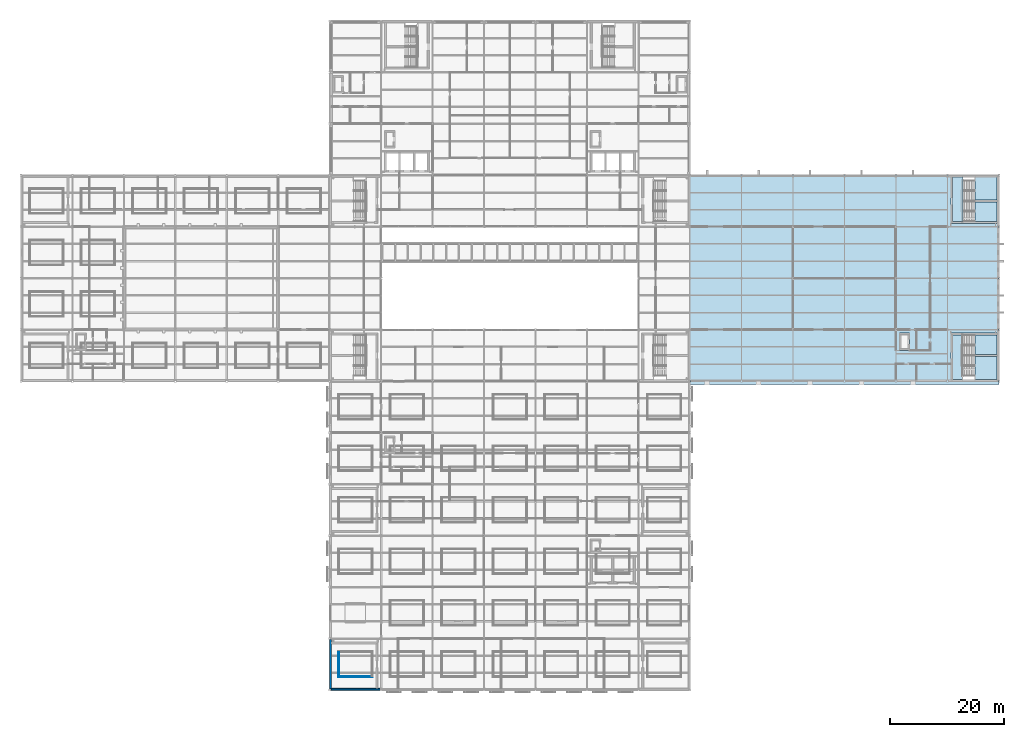
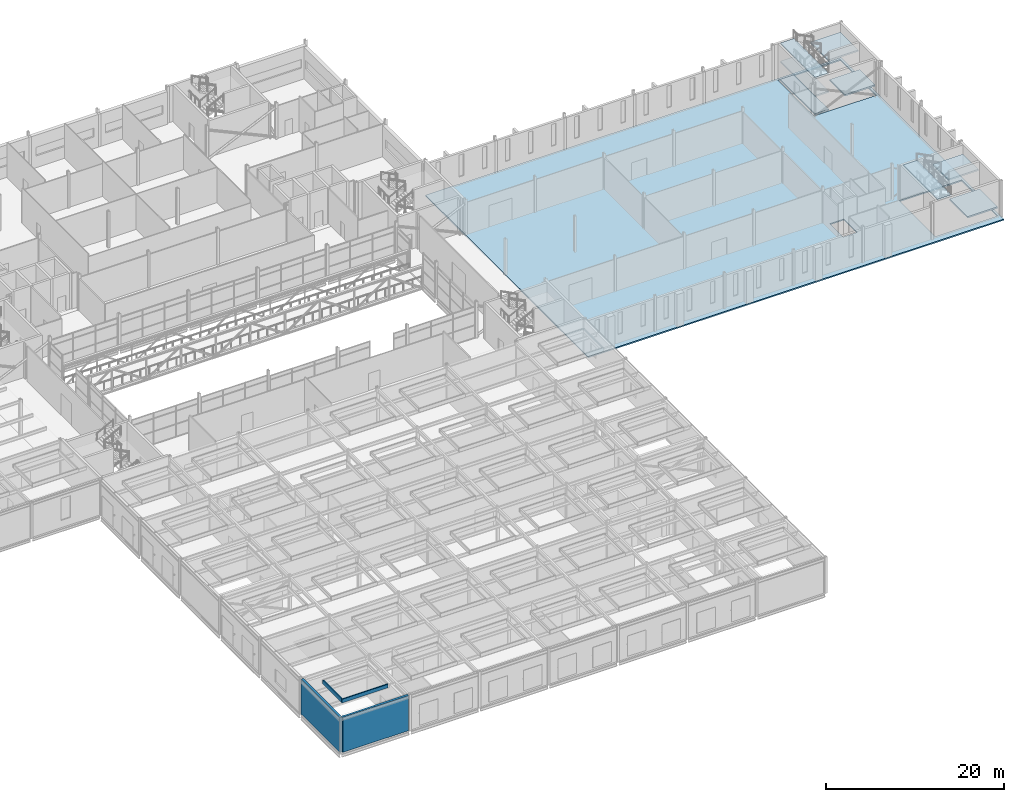
# One storey, part 74 of 115: 9 slabs, 4 walls, 2 elements without a shape of their own.
"""IFC4 building model written with IfcOpenShell, lengths in metres."""

from ifc_helpers import new_model, si_unit, direction, frame, frame_2d, origin, place, context, subcontext, project, spatial, polyline, rectangle, outline, extrude, material, layer, layer_set, type_object, element, aggregate, save


model = new_model("IFC4")

# Units and contexts
model_context = context("Model", 3, precision=1e-05, world=origin(), true_north=direction((0.0, 1.0)))
body_context = subcontext(model_context, "Body", "Model", "MODEL_VIEW")
ifc_project = project(units=[si_unit("LENGTHUNIT", "METRE"), si_unit("AREAUNIT", "SQUARE_METRE"), si_unit("VOLUMEUNIT", "CUBIC_METRE"), si_unit("PLANEANGLEUNIT", "RADIAN"), si_unit("MASSUNIT", "GRAM", prefix="KILO")], contexts=[model_context])

# Site, building, storey
site_placement = place(None, origin())
site = spatial("IfcSite", under=ifc_project, at=site_placement, CompositionType="ELEMENT")
building_placement = place(site_placement, origin())
building = spatial("IfcBuilding", under=site, at=building_placement, Name="Shorebreak Coast Museum", CompositionType="ELEMENT")
storey_placement = place(building_placement, frame((0.0, 0.0, 11.0)))
storey = spatial("IfcBuildingStorey", under=building, at=storey_placement, Name="L02", CompositionType="ELEMENT", Elevation=11.0)

# Slab
ifc_material_1 = material(Name="Concrete N40 (40 MPa)", Category="concrete")
ifc_layer_1 = layer(ifc_material_1, 0.175048828125)
ifc_layer_set_1 = layer_set([ifc_layer_1], Name="Concrete N40 (40 MPa)")
slab_type_1 = type_object("IfcSlabType", Name="Floor slab 175 concrete N40", PredefinedType="FLOOR", material=ifc_layer_set_1)
slab_1_placement = place(storey_placement, frame((0.0, 0.0, -0.175048828125)))
element("IfcSlab", 1, at=slab_1_placement, inside=storey, type_object=slab_type_1, Name="Floor slab L02 east arm", PredefinedType="FLOOR", context=body_context, shape_type="SweptSolid", body=[
    extrude(outline(polyline([(171.0, 53.39990234375), (171.0, 54.0), (171.0, 90.0), (117.0, 90.0), (117.0, 54.0), (117.0, 53.39990234375), (171.0, 53.39990234375)]), holes=[polyline([(153.60009765625, 59.39990234375), (153.60009765625, 62.39990234375), (155.39990234375, 62.39990234375), (155.39990234375, 59.39990234375), (153.60009765625, 59.39990234375)]), polyline([(162.60009765625, 62.39990234375), (170.699951171875, 62.39990234375), (170.699951171875, 54.300048828125), (162.60009765625, 54.300048828125), (162.60009765625, 62.39990234375)]), polyline([(170.699951171875, 89.699951171875), (170.699951171875, 81.60009765625), (162.60009765625, 81.60009765625), (162.60009765625, 89.699951171875), (170.699951171875, 89.699951171875)])]), origin(), (0.0, 0.0, 1.0), 0.175048828125),
])

# Stair, slabs
ifc_material_2 = material(Name="Concrete N40 (40 MPa)", Category="concrete")
stair_type = type_object("IfcStairType", Name="Stair run 5 m", PredefinedType="DOUBLE_RETURN_STAIR", material=ifc_material_2)
stair_1_placement = place(storey_placement, origin())
stair_1 = element("IfcStair", 2, at=stair_1_placement, inside=storey, type_object=stair_type, Name="Exit stair ST07-L02", PredefinedType="DOUBLE_RETURN_STAIR")
ifc_material_3 = material(Name="Concrete N40 (40 MPa)", Category="concrete")
ifc_layer_2 = layer(ifc_material_3, 0.199951171875)
ifc_layer_set_2 = layer_set([ifc_layer_2], Name="Concrete N40 (40 MPa)")
slab_type_2 = type_object("IfcSlabType", Name="Stair landing 200", PredefinedType="LANDING", material=ifc_layer_set_2)
slab_2_placement = place(storey_placement, frame((0.0, 0.0, 1.050048828125)))
slab_2 = element("IfcSlab", 3, at=slab_2_placement, type_object=slab_type_2, Name="ST07-L02 landing 3", PredefinedType="LANDING", context=body_context, shape_type="SweptSolid", body=[
    extrude(outline(polyline([(166.800048828125, 54.300048828125), (170.699951171875, 54.300048828125), (170.699951171875, 58.35009765625), (166.800048828125, 58.35009765625), (166.800048828125, 54.300048828125)])), origin(), (0.0, 0.0, 1.0), 0.199951171875),
])
slab_3_placement = place(storey_placement, frame((0.0, 0.0, 3.550048828125)))
slab_3 = element("IfcSlab", 4, at=slab_3_placement, type_object=slab_type_2, Name="ST07-L02 landing 4", PredefinedType="LANDING", context=body_context, shape_type="SweptSolid", body=[
    extrude(outline(polyline([(166.800048828125, 58.64990234375), (170.699951171875, 58.64990234375), (170.699951171875, 62.10009765625), (166.800048828125, 62.10009765625), (166.800048828125, 58.64990234375)])), origin(), (0.0, 0.0, 1.0), 0.199951171875),
])
slab_4_placement = place(storey_placement, frame((0.0, 0.0, 4.800048828125)))
slab_4 = element("IfcSlab", 5, at=slab_4_placement, type_object=slab_type_2, Name="ST07-L02 landing 5", PredefinedType="LANDING", context=body_context, shape_type="SweptSolid", body=[
    extrude(outline(polyline([(162.89990234375, 54.300048828125), (164.699951171875, 54.300048828125), (164.699951171875, 62.10009765625), (162.89990234375, 62.10009765625), (162.89990234375, 54.300048828125)])), origin(), (0.0, 0.0, 1.0), 0.199951171875),
])
aggregate(stair_1, [slab_2, slab_3, slab_4])

stair_2_placement = place(storey_placement, origin())
stair_2 = element("IfcStair", 6, at=stair_2_placement, inside=storey, type_object=stair_type, Name="Exit stair ST08-L02", PredefinedType="DOUBLE_RETURN_STAIR")
slab_5_placement = place(storey_placement, frame((0.0, 0.0, -0.199951171875)))
slab_5 = element("IfcSlab", 7, at=slab_5_placement, type_object=slab_type_2, Name="ST08-L02 landing 1", PredefinedType="LANDING", context=body_context, shape_type="SweptSolid", body=[
    extrude(outline(polyline([(162.89990234375, 81.89990234375), (164.699951171875, 81.89990234375), (164.699951171875, 89.699951171875), (162.89990234375, 89.699951171875), (162.89990234375, 81.89990234375)])), origin(), (0.0, 0.0, 1.0), 0.199951171875),
])
slab_6_placement = place(storey_placement, frame((0.0, 0.0, 2.300048828125)))
slab_6 = element("IfcSlab", 8, at=slab_6_placement, type_object=slab_type_2, Name="ST08-L02 landing 2", PredefinedType="LANDING", context=body_context, shape_type="SweptSolid", body=[
    extrude(outline(polyline([(162.89990234375, 81.89990234375), (164.699951171875, 81.89990234375), (164.699951171875, 89.699951171875), (162.89990234375, 89.699951171875), (162.89990234375, 81.89990234375)])), origin(), (0.0, 0.0, 1.0), 0.199951171875),
])
slab_7_placement = place(storey_placement, frame((0.0, 0.0, 1.050048828125)))
slab_7 = element("IfcSlab", 9, at=slab_7_placement, type_object=slab_type_2, Name="ST08-L02 landing 3", PredefinedType="LANDING", context=body_context, shape_type="SweptSolid", body=[
    extrude(outline(polyline([(166.800048828125, 81.89990234375), (170.699951171875, 81.89990234375), (170.699951171875, 85.35009765625), (166.800048828125, 85.35009765625), (166.800048828125, 81.89990234375)])), origin(), (0.0, 0.0, 1.0), 0.199951171875),
])
slab_8_placement = place(storey_placement, frame((0.0, 0.0, 3.550048828125)))
slab_8 = element("IfcSlab", 10, at=slab_8_placement, type_object=slab_type_2, Name="ST08-L02 landing 4", PredefinedType="LANDING", context=body_context, shape_type="SweptSolid", body=[
    extrude(outline(polyline([(166.800048828125, 85.64990234375), (170.699951171875, 85.64990234375), (170.699951171875, 89.699951171875), (166.800048828125, 89.699951171875), (166.800048828125, 85.64990234375)])), origin(), (0.0, 0.0, 1.0), 0.199951171875),
])
slab_9_placement = place(storey_placement, frame((0.0, 0.0, 4.800048828125)))
slab_9 = element("IfcSlab", 11, at=slab_9_placement, type_object=slab_type_2, Name="ST08-L02 landing 5", PredefinedType="LANDING", context=body_context, shape_type="SweptSolid", body=[
    extrude(outline(polyline([(162.89990234375, 81.89990234375), (164.699951171875, 81.89990234375), (164.699951171875, 89.699951171875), (162.89990234375, 89.699951171875), (162.89990234375, 81.89990234375)])), origin(), (0.0, 0.0, 1.0), 0.199951171875),
])
aggregate(stair_2, [slab_5, slab_6, slab_7, slab_8, slab_9])

# Walls
ifc_material_4 = material(Name="Concrete N50 (50 MPa)", Category="concrete")
ifc_layer_3 = layer(ifc_material_4, 0.14990234375)
ifc_layer_set_3 = layer_set([ifc_layer_3], Name="Concrete N50 (50 MPa)")
wall_type_1 = type_object("IfcWallType", Name="Planter wall 150 high 500", PredefinedType="PARAPET", material=ifc_layer_set_3)
wall_1_placement = place(storey_placement, frame((55.5, 2.324951171875, 5.0), z_axis=(0.0, 0.0, 1.0), x_axis=(1.0, 0.0, 0.0)))
element("IfcWall", 12, at=wall_1_placement, inside=storey, type_object=wall_type_1, Name="Planter SDECK 17 south wall", PredefinedType="PARAPET", context=body_context, shape_type="SweptSolid", body=[
    extrude(rectangle(XDim=6.0, YDim=0.14990234375, at=frame_2d((3.0, 0.0))), origin(), (0.0, 0.0, 1.0), 0.5),
])
wall_2_placement = place(storey_placement, frame((55.574951171875, 2.39990234375, 5.0), z_axis=(0.0, 0.0, 1.0), x_axis=(0.0, 1.0, 0.0)))
element("IfcWall", 13, at=wall_2_placement, inside=storey, type_object=wall_type_1, Name="Planter SDECK 17 west wall", PredefinedType="PARAPET", context=body_context, shape_type="SweptSolid", body=[
    extrude(rectangle(XDim=4.2001953125, YDim=0.14990234375, at=frame_2d((2.10009765625, 0.0))), origin(), (0.0, 0.0, 1.0), 0.5),
])
ifc_material_5 = material(Name="Concrete N50 (50 MPa)", Category="concrete")
ifc_layer_4 = layer(ifc_material_5, 0.300048828125)
ifc_layer_set_4 = layer_set([ifc_layer_4], Name="Concrete N50 (50 MPa)")
wall_type_2 = type_object("IfcWallType", Name="RC wall 300", PredefinedType="SHEAR", material=ifc_layer_set_4)
wall_3_placement = place(storey_placement, frame((54.300048828125, 0.14990234375, 0.0), z_axis=(0.0, 0.0, 1.0), x_axis=(1.0, 0.0, 0.0)))
element("IfcWall", 14, at=wall_3_placement, inside=storey, type_object=wall_type_2, Name="Stair core wall ST11 L02 S", PredefinedType="SHEAR", context=body_context, shape_type="SweptSolid", body=[
    extrude(rectangle(XDim=8.550048828125, YDim=0.300048828125, at=frame_2d((4.27490234375, 0.0))), origin(), (0.0, 0.0, 1.0), 4.824951171875),
])
wall_4_placement = place(storey_placement, frame((54.14990234375, 0.14990234375, 0.0), z_axis=(0.0, 0.0, 1.0), x_axis=(0.0, 1.0, 0.0)))
element("IfcWall", 15, at=wall_4_placement, inside=storey, type_object=wall_type_2, Name="Stair core wall ST11 L02 W", PredefinedType="SHEAR", context=body_context, shape_type="SweptSolid", body=[
    extrude(rectangle(XDim=8.7001953125, YDim=0.300048828125, at=frame_2d((4.35009765625, 0.0))), origin(), (0.0, 0.0, 1.0), 4.824951171875),
])

save(model, "model.ifc")
